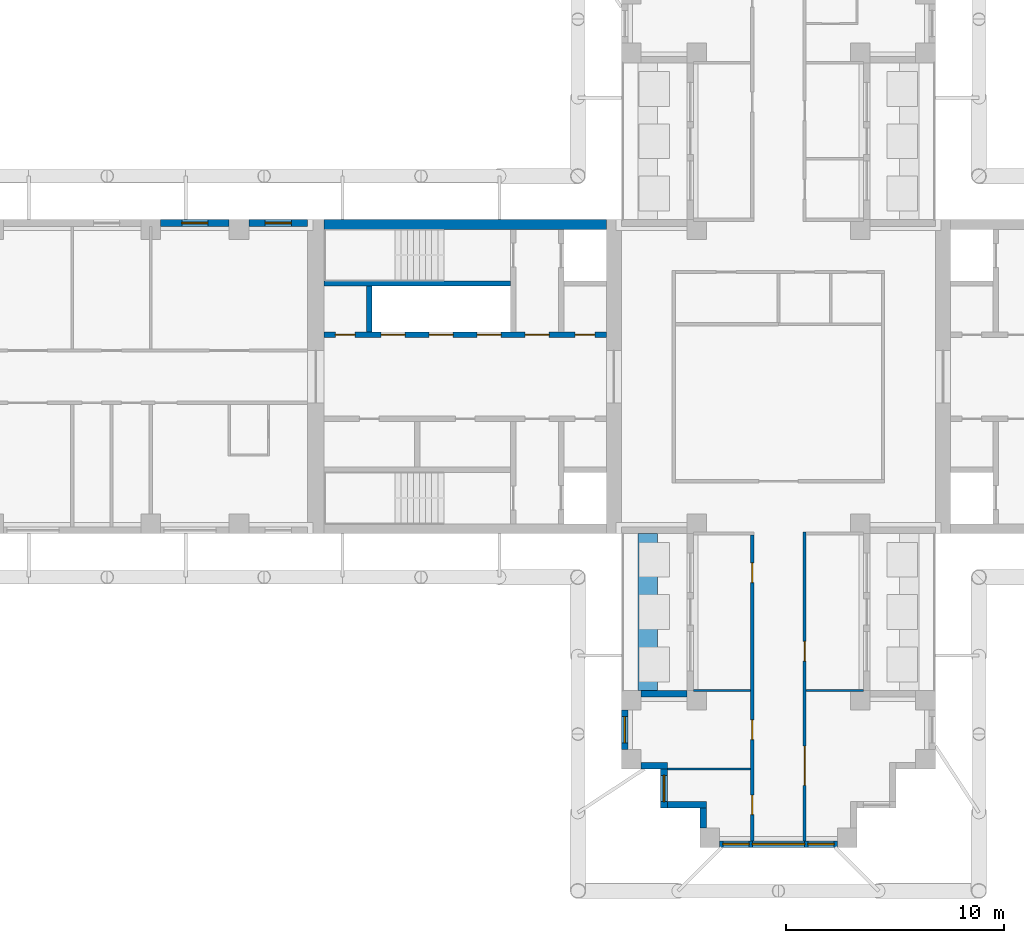
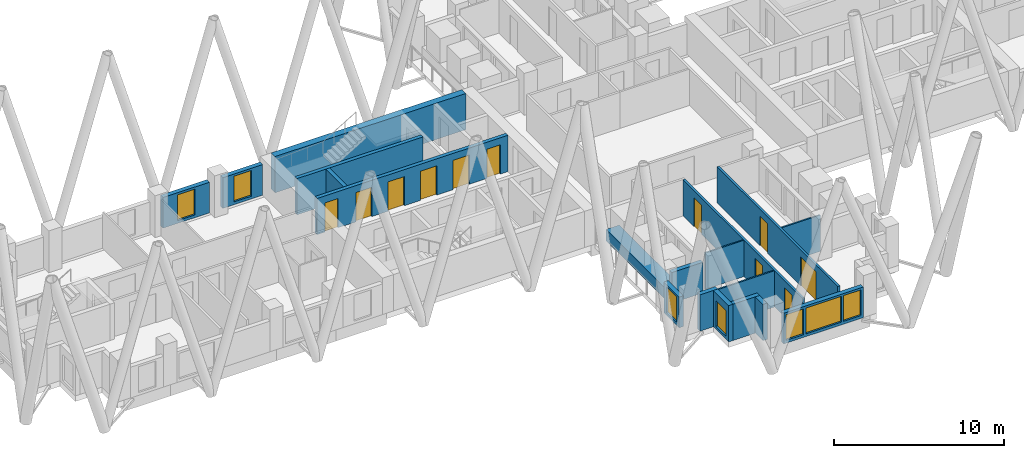
# One storey, part 4 of 12: 19 walls, 11 doors, 7 windows, 18 openings.
"""IFC4 building model written with IfcOpenShell, lengths in metres."""

from ifc_helpers import new_model, si_unit, direction, frame, frame_2d, origin, place, context, subcontext, project, spatial, rectangle, extrude, material, layer, layer_set, type_object, element, fill, save


model = new_model("IFC4")

# Units and contexts
model_context = context("Model", 3, precision=1e-05, world=origin(), true_north=direction((0.0, 1.0)))
body_context = subcontext(model_context, "Body", "Model", "MODEL_VIEW")
ifc_project = project(units=[si_unit("LENGTHUNIT", "METRE"), si_unit("AREAUNIT", "SQUARE_METRE"), si_unit("VOLUMEUNIT", "CUBIC_METRE"), si_unit("PLANEANGLEUNIT", "RADIAN"), si_unit("MASSUNIT", "GRAM", prefix="KILO")], contexts=[model_context])

# Site, building, storey
site_placement = place(None, origin())
site = spatial("IfcSite", under=ifc_project, at=site_placement, CompositionType="ELEMENT")
building_placement = place(site_placement, origin())
building = spatial("IfcBuilding", under=site, at=building_placement, Name="Fustian Cross Tower", CompositionType="ELEMENT")
storey_placement = place(building_placement, frame((0.0, 0.0, 141.300048828125)))
storey = spatial("IfcBuildingStorey", under=building, at=storey_placement, Name="L44", CompositionType="ELEMENT", Elevation=141.300048828125)

# Wall, openings, doors
ifc_material_1 = material(Name="Plasterboard on steel stud", Category="steel")
ifc_layer_1 = layer(ifc_material_1, 0.14990234375)
ifc_layer_set_1 = layer_set([ifc_layer_1], Name="Plasterboard on steel stud")
wall_type_1 = type_object("IfcWallType", Name="COMPARTMENT WALL 150 EI 60", PredefinedType="PARTITIONING", material=ifc_layer_set_1)
wall_1_placement = place(storey_placement, frame((-1.199951171875, -21.300048828125, 0.0), z_axis=(0.0, 0.0, 1.0), x_axis=(0.0, 1.0, 0.0)))
wall_1 = element("IfcWall", 1, at=wall_1_placement, inside=storey, type_object=wall_type_1, Name="Partition 20", PredefinedType="PARTITIONING", context=body_context, shape_type="SweptSolid", body=[
    extrude(rectangle(XDim=14.025146484375, YDim=0.14990234375, at=frame_2d((7.0126953125, 0.0))), origin(), (0.0, 0.0, 1.0), 2.599853515625),
])
opening_1_placement = place(wall_1_placement, frame((11.85009765625, 0.0, 0.0)))
opening_1 = element("IfcOpeningElement", 2, at=opening_1_placement, cuts=wall_1, Name="Opening D20030", PredefinedType="OPENING", context=body_context, shape_type="SweptSolid", body=[
    extrude(rectangle(XDim=0.89990234375, YDim=2.10009765625, at=frame_2d((0.449951171875, 1.050048828125))), frame((0.0, 0.0849609375, 0.0), z_axis=(0.0, -1.0, 0.0), x_axis=(1.0, 0.0, 0.0)), (0.0, 0.0, 1.0), 0.169921875),
])
opening_2_placement = place(wall_1_placement, frame((4.64990234375, 0.0, 0.0)))
opening_2 = element("IfcOpeningElement", 3, at=opening_2_placement, cuts=wall_1, Name="Opening D20031", PredefinedType="OPENING", context=body_context, shape_type="SweptSolid", body=[
    extrude(rectangle(XDim=0.89990234375, YDim=2.10009765625, at=frame_2d((0.449951171875, 1.050048828125))), frame((0.0, 0.0849609375, 0.0), z_axis=(0.0, -1.0, 0.0), x_axis=(1.0, 0.0, 0.0)), (0.0, 0.0, 1.0), 0.169921875),
])
opening_3_placement = place(wall_1_placement, frame((1.199951171875, 0.0, 0.0)))
opening_3 = element("IfcOpeningElement", 4, at=opening_3_placement, cuts=wall_1, Name="Opening D20032", PredefinedType="OPENING", context=body_context, shape_type="SweptSolid", body=[
    extrude(rectangle(XDim=0.89990234375, YDim=2.10009765625, at=frame_2d((0.449951171875, 1.050048828125))), frame((0.0, 0.0849609375, 0.0), z_axis=(0.0, -1.0, 0.0), x_axis=(1.0, 0.0, 0.0)), (0.0, 0.0, 1.0), 0.169921875),
])
ifc_material_2 = material(Name="Timber fire door set", Category="wood")
door_type_1 = type_object("IfcDoorType", Name="FIRE SWING DOOR 900 FD30S", OperationType="SINGLE_SWING_LEFT", PredefinedType="DOOR", material=ifc_material_2)
door_1_placement = place(opening_1_placement, origin())
door_1 = element("IfcDoor", 5, at=door_1_placement, inside=storey, type_object=door_type_1, Name="Door D20030", OperationType="SINGLE_SWING_RIGHT", OverallHeight=2.10009765625, OverallWidth=0.89990234375, PredefinedType="DOOR", context=body_context, shape_type="SweptSolid", body=[
    extrude(rectangle(XDim=0.89990234375, YDim=2.10009765625, at=frame_2d((0.449951171875, 1.050048828125))), frame((0.0, 0.02490234375, 0.0), z_axis=(0.0, -1.0, 0.0), x_axis=(1.0, 0.0, 0.0)), (0.0, 0.0, 1.0), 0.050048828125),
])
fill(opening_1, door_1)
door_2_placement = place(opening_2_placement, origin())
door_2 = element("IfcDoor", 6, at=door_2_placement, inside=storey, type_object=door_type_1, Name="Door D20031", OperationType="SINGLE_SWING_LEFT", OverallHeight=2.10009765625, OverallWidth=0.89990234375, PredefinedType="DOOR", context=body_context, shape_type="SweptSolid", body=[
    extrude(rectangle(XDim=0.89990234375, YDim=2.10009765625, at=frame_2d((0.449951171875, 1.050048828125))), frame((0.0, 0.02490234375, 0.0), z_axis=(0.0, -1.0, 0.0), x_axis=(1.0, 0.0, 0.0)), (0.0, 0.0, 1.0), 0.050048828125),
])
fill(opening_2, door_2)
door_3_placement = place(opening_3_placement, origin())
door_3 = element("IfcDoor", 7, at=door_3_placement, inside=storey, type_object=door_type_1, Name="Door D20032", OperationType="SINGLE_SWING_LEFT", OverallHeight=2.10009765625, OverallWidth=0.89990234375, PredefinedType="DOOR", context=body_context, shape_type="SweptSolid", body=[
    extrude(rectangle(XDim=0.89990234375, YDim=2.10009765625, at=frame_2d((0.449951171875, 1.050048828125))), frame((0.0, 0.02490234375, 0.0), z_axis=(0.0, -1.0, 0.0), x_axis=(1.0, 0.0, 0.0)), (0.0, 0.0, 1.0), 0.050048828125),
])
fill(opening_3, door_3)

wall_2_placement = place(storey_placement, frame((1.199951171875, -21.300048828125, 0.0), z_axis=(0.0, 0.0, 1.0), x_axis=(0.0, 1.0, 0.0)))
wall_2 = element("IfcWall", 8, at=wall_2_placement, inside=storey, type_object=wall_type_1, Name="Partition 24", PredefinedType="PARTITIONING", context=body_context, shape_type="SweptSolid", body=[
    extrude(rectangle(XDim=14.175048828125, YDim=0.14990234375, at=frame_2d((7.08740234375, 0.0))), origin(), (0.0, 0.0, 1.0), 2.599853515625),
])
opening_4_placement = place(wall_2_placement, frame((8.25, 0.0, 0.0)))
opening_4 = element("IfcOpeningElement", 9, at=opening_4_placement, cuts=wall_2, Name="Opening D20028", PredefinedType="OPENING", context=body_context, shape_type="SweptSolid", body=[
    extrude(rectangle(XDim=0.89990234375, YDim=2.10009765625, at=frame_2d((0.449951171875, 1.050048828125))), frame((0.0, 0.0849609375, 0.0), z_axis=(0.0, -1.0, 0.0), x_axis=(1.0, 0.0, 0.0)), (0.0, 0.0, 1.0), 0.169921875),
])
opening_5_placement = place(wall_2_placement, frame((2.550048828125, 0.0, 0.0)))
opening_5 = element("IfcOpeningElement", 10, at=opening_5_placement, cuts=wall_2, Name="Opening D20029", PredefinedType="OPENING", context=body_context, shape_type="SweptSolid", body=[
    extrude(rectangle(XDim=1.800048828125, YDim=2.10009765625, at=frame_2d((0.89990234375, 1.050048828125))), frame((0.0, 0.0849609375, 0.0), z_axis=(0.0, -1.0, 0.0), x_axis=(1.0, 0.0, 0.0)), (0.0, 0.0, 1.0), 0.169921875),
])
ifc_material_3 = material(Name="Timber fire door set", Category="wood")
door_type_2 = type_object("IfcDoorType", Name="FIRE DOUBLE DOOR 1800 FD30S", OperationType="DOUBLE_DOOR_DOUBLE_SWING", PredefinedType="DOOR", material=ifc_material_3)
door_4_placement = place(opening_5_placement, origin())
door_4 = element("IfcDoor", 11, at=door_4_placement, inside=storey, type_object=door_type_2, Name="Door D20029", OperationType="DOUBLE_DOOR_DOUBLE_SWING", OverallHeight=2.10009765625, OverallWidth=1.800048828125, PredefinedType="DOOR", context=body_context, shape_type="SweptSolid", body=[
    extrude(rectangle(XDim=1.800048828125, YDim=2.10009765625, at=frame_2d((0.89990234375, 1.050048828125))), frame((0.0, 0.02490234375, 0.0), z_axis=(0.0, -1.0, 0.0), x_axis=(1.0, 0.0, 0.0)), (0.0, 0.0, 1.0), 0.050048828125),
])
fill(opening_5, door_4)
door_5_placement = place(opening_4_placement, frame((0.89990234375, 0.0, 0.0), z_axis=(0.0, 0.0, 1.0), x_axis=(-1.0, 0.0, 0.0)))
door_5 = element("IfcDoor", 12, at=door_5_placement, inside=storey, type_object=door_type_1, Name="Door D20028", OperationType="SINGLE_SWING_RIGHT", OverallHeight=2.10009765625, OverallWidth=0.89990234375, PredefinedType="DOOR", context=body_context, shape_type="SweptSolid", body=[
    extrude(rectangle(XDim=0.89990234375, YDim=2.10009765625, at=frame_2d((0.449951171875, 1.050048828125))), frame((0.0, 0.02490234375, 0.0), z_axis=(0.0, -1.0, 0.0), x_axis=(1.0, 0.0, 0.0)), (0.0, 0.0, 1.0), 0.050048828125),
])
fill(opening_4, door_5)

# Wall
ifc_material_4 = material(Name="Concrete C60/75", Category="concrete")
ifc_layer_2 = layer(ifc_material_4, 0.449951171875)
ifc_layer_set_2 = layer_set([ifc_layer_2], Name="Concrete C60/75")
wall_type_2 = type_object("IfcWallType", Name="CORE FACADE WALL 450 C60/75", PredefinedType="SHEAR", material=ifc_layer_set_2)
wall_3_placement = place(storey_placement, frame((-7.89990234375, 6.97509765625, 0.0), z_axis=(0.0, 0.0, 1.0), x_axis=(-1.0, 0.0, 0.0)))
element("IfcWall", 13, at=wall_3_placement, inside=storey, type_object=wall_type_2, Name="Core facade wall", PredefinedType="SHEAR", context=body_context, shape_type="SweptSolid", body=[
    extrude(rectangle(XDim=12.9501953125, YDim=0.449951171875, at=frame_2d((6.47509765625, 0.0))), origin(), (0.0, 0.0, 1.0), 2.599853515625),
])

# Wall, openings, doors
ifc_material_5 = material(Name="Concrete C50/60", Category="concrete")
ifc_layer_3 = layer(ifc_material_5, 0.25)
ifc_layer_set_3 = layer_set([ifc_layer_3], Name="Concrete C50/60")
wall_type_3 = type_object("IfcWallType", Name="CORE LOBBY WALL 250 C50/60", PredefinedType="SHEAR", material=ifc_layer_set_3)
wall_4_placement = place(storey_placement, frame((-7.89990234375, 1.925048828125, 0.0), z_axis=(0.0, 0.0, 1.0), x_axis=(-1.0, 0.0, 0.0)))
wall_4 = element("IfcWall", 14, at=wall_4_placement, inside=storey, type_object=wall_type_3, Name="Core lobby wall", PredefinedType="SHEAR", context=body_context, shape_type="SweptSolid", body=[
    extrude(rectangle(XDim=12.9501953125, YDim=0.25, at=frame_2d((6.47509765625, 0.0))), origin(), (0.0, 0.0, 1.0), 2.599853515625),
])
opening_6_placement = place(wall_4_placement, frame((4.824951171875, 0.0, 0.0)))
opening_6 = element("IfcOpeningElement", 15, at=opening_6_placement, cuts=wall_4, Name="Opening LD", PredefinedType="OPENING", context=body_context, shape_type="SweptSolid", body=[
    extrude(rectangle(XDim=1.10009765625, YDim=2.10009765625, at=frame_2d((0.550048828125, 1.050048828125))), frame((0.0, 0.135009765625, 0.0), z_axis=(0.0, -1.0, 0.0), x_axis=(1.0, 0.0, 0.0)), (0.0, 0.0, 1.0), 0.27001953125),
])
opening_7_placement = place(wall_4_placement, frame((7.02490234375, 0.0, 0.0)))
opening_7 = element("IfcOpeningElement", 16, at=opening_7_placement, cuts=wall_4, Name="Opening LD", PredefinedType="OPENING", context=body_context, shape_type="SweptSolid", body=[
    extrude(rectangle(XDim=1.10009765625, YDim=2.10009765625, at=frame_2d((0.550048828125, 1.050048828125))), frame((0.0, 0.135009765625, 0.0), z_axis=(0.0, -1.0, 0.0), x_axis=(1.0, 0.0, 0.0)), (0.0, 0.0, 1.0), 0.27001953125),
])
opening_8_placement = place(wall_4_placement, frame((9.22509765625, 0.0, 0.0)))
opening_8 = element("IfcOpeningElement", 17, at=opening_8_placement, cuts=wall_4, Name="Opening LD", PredefinedType="OPENING", context=body_context, shape_type="SweptSolid", body=[
    extrude(rectangle(XDim=1.10009765625, YDim=2.10009765625, at=frame_2d((0.550048828125, 1.050048828125))), frame((0.0, 0.135009765625, 0.0), z_axis=(0.0, -1.0, 0.0), x_axis=(1.0, 0.0, 0.0)), (0.0, 0.0, 1.0), 0.27001953125),
])
opening_9_placement = place(wall_4_placement, frame((0.52490234375, 0.0, 0.0)))
opening_9 = element("IfcOpeningElement", 18, at=opening_9_placement, cuts=wall_4, Name="Opening CD-18-24", PredefinedType="OPENING", context=body_context, shape_type="SweptSolid", body=[
    extrude(rectangle(XDim=0.89990234375, YDim=2.10009765625, at=frame_2d((0.449951171875, 1.050048828125))), frame((0.0, 0.135009765625, 0.0), z_axis=(0.0, -1.0, 0.0), x_axis=(1.0, 0.0, 0.0)), (0.0, 0.0, 1.0), 0.27001953125),
])
opening_10_placement = place(wall_4_placement, frame((2.625, 0.0, 0.0)))
opening_10 = element("IfcOpeningElement", 19, at=opening_10_placement, cuts=wall_4, Name="Opening CD-18-26", PredefinedType="OPENING", context=body_context, shape_type="SweptSolid", body=[
    extrude(rectangle(XDim=1.10009765625, YDim=2.10009765625, at=frame_2d((0.550048828125, 1.050048828125))), frame((0.0, 0.135009765625, 0.0), z_axis=(0.0, -1.0, 0.0), x_axis=(1.0, 0.0, 0.0)), (0.0, 0.0, 1.0), 0.27001953125),
])
opening_11_placement = place(wall_4_placement, frame((11.52490234375, 0.0, 0.0)))
opening_11 = element("IfcOpeningElement", 20, at=opening_11_placement, cuts=wall_4, Name="Opening CD-18-30", PredefinedType="OPENING", context=body_context, shape_type="SweptSolid", body=[
    extrude(rectangle(XDim=0.89990234375, YDim=2.10009765625, at=frame_2d((0.449951171875, 1.050048828125))), frame((0.0, 0.135009765625, 0.0), z_axis=(0.0, -1.0, 0.0), x_axis=(1.0, 0.0, 0.0)), (0.0, 0.0, 1.0), 0.27001953125),
])
ifc_material_6 = material(Name="Steel", Category="steel")
door_type_3 = type_object("IfcDoorType", Name="FIRE DOOR FD30S 900X2100", OperationType="SINGLE_SWING_LEFT", PredefinedType="DOOR", material=ifc_material_6)
door_6_placement = place(opening_11_placement, frame((0.89990234375, 0.0, 0.0), z_axis=(0.0, 0.0, 1.0), x_axis=(-1.0, 0.0, 0.0)))
door_6 = element("IfcDoor", 21, at=door_6_placement, inside=storey, type_object=door_type_3, Name="Core door CD-18-30", OperationType="SINGLE_SWING_RIGHT", OverallHeight=2.10009765625, OverallWidth=0.89990234375, PredefinedType="DOOR", context=body_context, shape_type="SweptSolid", body=[
    extrude(rectangle(XDim=0.89990234375, YDim=2.10009765625, at=frame_2d((0.449951171875, 1.050048828125))), frame((0.0, 0.02490234375, 0.0), z_axis=(0.0, -1.0, 0.0), x_axis=(1.0, 0.0, 0.0)), (0.0, 0.0, 1.0), 0.050048828125),
])
fill(opening_11, door_6)
ifc_material_7 = material(Name="Steel", Category="steel")
door_type_4 = type_object("IfcDoorType", Name="FIRE DOOR FD60S 1100X2100", OperationType="SINGLE_SWING_LEFT", PredefinedType="DOOR", material=ifc_material_7)
door_7_placement = place(opening_10_placement, frame((1.10009765625, 0.0, 0.0), z_axis=(0.0, 0.0, 1.0), x_axis=(-1.0, 0.0, 0.0)))
door_7 = element("IfcDoor", 22, at=door_7_placement, inside=storey, type_object=door_type_4, Name="Core door CD-18-26", OperationType="SINGLE_SWING_RIGHT", OverallHeight=2.10009765625, OverallWidth=1.10009765625, PredefinedType="DOOR", context=body_context, shape_type="SweptSolid", body=[
    extrude(rectangle(XDim=1.10009765625, YDim=2.10009765625, at=frame_2d((0.550048828125, 1.050048828125))), frame((0.0, 0.02490234375, 0.0), z_axis=(0.0, -1.0, 0.0), x_axis=(1.0, 0.0, 0.0)), (0.0, 0.0, 1.0), 0.050048828125),
])
fill(opening_10, door_7)
ifc_material_8 = material(Name="Steel", Category="steel")
door_type_5 = type_object("IfcDoorType", Name="FIRE DOOR FD60S 900X2100", OperationType="SINGLE_SWING_LEFT", PredefinedType="DOOR", material=ifc_material_8)
door_8_placement = place(opening_9_placement, frame((0.89990234375, 0.0, 0.0), z_axis=(0.0, 0.0, 1.0), x_axis=(-1.0, 0.0, 0.0)))
door_8 = element("IfcDoor", 23, at=door_8_placement, inside=storey, type_object=door_type_5, Name="Core door CD-18-24", OperationType="SINGLE_SWING_RIGHT", OverallHeight=2.10009765625, OverallWidth=0.89990234375, PredefinedType="DOOR", context=body_context, shape_type="SweptSolid", body=[
    extrude(rectangle(XDim=0.89990234375, YDim=2.10009765625, at=frame_2d((0.449951171875, 1.050048828125))), frame((0.0, 0.02490234375, 0.0), z_axis=(0.0, -1.0, 0.0), x_axis=(1.0, 0.0, 0.0)), (0.0, 0.0, 1.0), 0.050048828125),
])
fill(opening_9, door_8)
ifc_material_9 = material(Name="Stainless steel", Category="steel")
door_type_6 = type_object("IfcDoorType", Name="LIFT LANDING DOOR 1100X2100", OperationType="SLIDING_TO_LEFT", PredefinedType="DOOR", material=ifc_material_9)
door_9_placement = place(opening_6_placement, origin())
door_9 = element("IfcDoor", 24, at=door_9_placement, inside=storey, type_object=door_type_6, Name="Landing door HR1W", OperationType="SLIDING_TO_LEFT", OverallHeight=2.10009765625, OverallWidth=1.10009765625, PredefinedType="DOOR", context=body_context, shape_type="SweptSolid", body=[
    extrude(rectangle(XDim=1.10009765625, YDim=2.10009765625, at=frame_2d((0.550048828125, 1.050048828125))), frame((0.0, 0.02490234375, 0.0), z_axis=(0.0, -1.0, 0.0), x_axis=(1.0, 0.0, 0.0)), (0.0, 0.0, 1.0), 0.050048828125),
])
fill(opening_6, door_9)
door_10_placement = place(opening_7_placement, origin())
door_10 = element("IfcDoor", 25, at=door_10_placement, inside=storey, type_object=door_type_6, Name="Landing door HR2W", OperationType="SLIDING_TO_LEFT", OverallHeight=2.10009765625, OverallWidth=1.10009765625, PredefinedType="DOOR", context=body_context, shape_type="SweptSolid", body=[
    extrude(rectangle(XDim=1.10009765625, YDim=2.10009765625, at=frame_2d((0.550048828125, 1.050048828125))), frame((0.0, 0.02490234375, 0.0), z_axis=(0.0, -1.0, 0.0), x_axis=(1.0, 0.0, 0.0)), (0.0, 0.0, 1.0), 0.050048828125),
])
fill(opening_7, door_10)
door_11_placement = place(opening_8_placement, origin())
door_11 = element("IfcDoor", 26, at=door_11_placement, inside=storey, type_object=door_type_6, Name="Landing door HR3W", OperationType="SLIDING_TO_LEFT", OverallHeight=2.10009765625, OverallWidth=1.10009765625, PredefinedType="DOOR", context=body_context, shape_type="SweptSolid", body=[
    extrude(rectangle(XDim=1.10009765625, YDim=2.10009765625, at=frame_2d((0.550048828125, 1.050048828125))), frame((0.0, 0.02490234375, 0.0), z_axis=(0.0, -1.0, 0.0), x_axis=(1.0, 0.0, 0.0)), (0.0, 0.0, 1.0), 0.050048828125),
])
fill(opening_8, door_11)

# Walls
ifc_material_10 = material(Name="Concrete C50/60", Category="concrete")
ifc_layer_4 = layer(ifc_material_10, 0.25)
ifc_layer_set_4 = layer_set([ifc_layer_4], Name="Concrete C50/60")
wall_type_4 = type_object("IfcWallType", Name="CORE SHAFT WALL 250 C50/60", PredefinedType="SHEAR", material=ifc_layer_set_4)
wall_5_placement = place(storey_placement, frame((-12.300048828125, 4.27490234375, 0.0), z_axis=(0.0, 0.0, 1.0), x_axis=(-1.0, 0.0, 0.0)))
element("IfcWall", 27, at=wall_5_placement, inside=storey, type_object=wall_type_4, Name="Core shaft wall", PredefinedType="SHEAR", context=body_context, shape_type="SweptSolid", body=[
    extrude(rectangle(XDim=8.550048828125, YDim=0.25, at=frame_2d((4.27490234375, 0.0))), origin(), (0.0, 0.0, 1.0), 2.599853515625),
])
ifc_material_11 = material(Name="Plasterboard on steel stud", Category="steel")
ifc_layer_5 = layer(ifc_material_11, 0.10009765625)
ifc_layer_set_5 = layer_set([ifc_layer_5], Name="Plasterboard on steel stud")
wall_type_5 = type_object("IfcWallType", Name="PARTITION 100 STUD", PredefinedType="PARTITIONING", material=ifc_layer_set_5)
wall_6_placement = place(storey_placement, frame((-5.10009765625, -18.0, 0.0), z_axis=(0.0, 0.0, 1.0), x_axis=(1.0, 0.0, 0.0)))
element("IfcWall", 28, at=wall_6_placement, inside=storey, type_object=wall_type_5, Name="Partition 11", PredefinedType="PARTITIONING", context=body_context, shape_type="SweptSolid", body=[
    extrude(rectangle(XDim=3.8251953125, YDim=0.10009765625, at=frame_2d((1.91259765625, 0.0))), origin(), (0.0, 0.0, 1.0), 2.599853515625),
])
for number, where, z_axis, x_axis, name in (
    (29, (-3.89990234375, -14.39990234375, 0.0), (0.0, 0.0, 1.0), (1.0, 0.0, 0.0), "Partition 16"),
    (30, (1.27490234375, -14.39990234375, 0.0), (0.0, 0.0, 1.0), (1.0, 0.0, 0.0), "Partition 25"),
):
    element("IfcWall", number, at=place(storey_placement, frame(where, z_axis=z_axis, x_axis=x_axis)), inside=storey, type_object=wall_type_5, Name=name, PredefinedType="PARTITIONING", context=body_context, shape_type="SweptSolid", body=[
        extrude(rectangle(XDim=2.625, YDim=0.10009765625, at=frame_2d((1.3125, 0.0))), origin(), (0.0, 0.0, 1.0), 2.599853515625),
    ])
ifc_material_12 = material(Name="Concrete C40/50", Category="concrete")
ifc_layer_6 = layer(ifc_material_12, 0.89990234375)
ifc_layer_set_6 = layer_set([ifc_layer_6], Name="Concrete C40/50")
wall_type_6 = type_object("IfcWallType", Name="PK1 PLANTER 900", PredefinedType="PARAPET", material=ifc_layer_set_6)
wall_7_placement = place(storey_placement, frame((-6.0, -14.39990234375, 0.0), z_axis=(0.0, 0.0, 1.0), x_axis=(0.0, 1.0, 0.0)))
element("IfcWall", 31, at=wall_7_placement, inside=storey, type_object=wall_type_6, Name="PLANTER", PredefinedType="PARAPET", context=body_context, shape_type="SweptSolid", body=[
    extrude(rectangle(XDim=7.199951171875, YDim=0.89990234375, at=frame_2d((3.60009765625, 0.0))), origin(), (0.0, 0.0, 1.0), 0.800048828125),
])
ifc_material_13 = material(Name="Concrete C40/50", Category="concrete")
ifc_layer_7 = layer(ifc_material_13, 0.25)
ifc_layer_set_7 = layer_set([ifc_layer_7], Name="Concrete C40/50")
wall_type_7 = type_object("IfcWallType", Name="SHAFT PARTITION WALL 250 C40/50", PredefinedType="PARTITIONING", material=ifc_layer_set_7)
wall_8_placement = place(storey_placement, frame((-18.77490234375, 2.050048828125, 0.0), z_axis=(0.0, 0.0, 1.0), x_axis=(0.0, 1.0, 0.0)))
element("IfcWall", 32, at=wall_8_placement, inside=storey, type_object=wall_type_7, Name="Core shaft wall", PredefinedType="PARTITIONING", context=body_context, shape_type="SweptSolid", body=[
    extrude(rectangle(XDim=2.099853515625, YDim=0.25, at=frame_2d((1.0498046875, 0.0))), origin(), (0.0, 0.0, 1.0), 2.599853515625),
])

# Wall, opening, window
ifc_material_14 = material(Name="Dark aluminium cladding on insulated backing wall", Category="aluminium")
ifc_layer_8 = layer(ifc_material_14, 0.300048828125)
ifc_layer_set_8 = layer_set([ifc_layer_8], Name="Dark aluminium cladding on insulated backing wall")
wall_type_8 = type_object("IfcWallType", Name="XW1 EXTERNAL WALL 300", PredefinedType="SOLIDWALL", material=ifc_layer_set_8)
wall_9_placement = place(storey_placement, frame((-21.60009765625, 7.050048828125, 0.0), z_axis=(0.0, 0.0, 1.0), x_axis=(-1.0, 0.0, 0.0)))
wall_9 = element("IfcWall", 33, at=wall_9_placement, inside=storey, type_object=wall_type_8, Name="External wall", PredefinedType="SOLIDWALL", context=body_context, shape_type="SweptSolid", body=[
    extrude(rectangle(XDim=2.699951171875, YDim=0.300048828125, at=frame_2d((1.35009765625, 0.0))), origin(), (0.0, 0.0, 1.0), 2.199951171875),
])
opening_12_placement = place(wall_9_placement, frame((0.75, 0.0, 0.199951171875)))
opening_12 = element("IfcOpeningElement", 34, at=opening_12_placement, cuts=wall_9, Name="Opening WN3", PredefinedType="OPENING", context=body_context, shape_type="SweptSolid", body=[
    extrude(rectangle(XDim=1.199951171875, YDim=1.85009765625, at=frame_2d((0.60009765625, 0.925048828125))), frame((0.0, 0.159912109375, 0.0), z_axis=(0.0, -1.0, 0.0), x_axis=(1.0, 0.0, 0.0)), (0.0, 0.0, 1.0), 0.320068359375),
])
ifc_material_15 = material(Name="Dark anodised aluminium and double glazing", Category="aluminium")
window_type_1 = type_object("IfcWindowType", Name="WN3 WINDOW 1200X1850", PartitioningType="SINGLE_PANEL", PredefinedType="WINDOW", material=ifc_material_15)
window_1_placement = place(opening_12_placement, origin())
window_1 = element("IfcWindow", 35, at=window_1_placement, inside=storey, type_object=window_type_1, Name="Window", OverallHeight=1.85009765625, OverallWidth=1.199951171875, PartitioningType="SINGLE_PANEL", PredefinedType="WINDOW", context=body_context, shape_type="SweptSolid", body=[
    extrude(rectangle(XDim=1.199951171875, YDim=1.85009765625, at=frame_2d((0.60009765625, 0.925048828125))), frame((0.0, 0.030029296875, 0.0), z_axis=(0.0, -1.0, 0.0), x_axis=(1.0, 0.0, 0.0)), (0.0, 0.0, 1.0), 0.06005859375),
])
fill(opening_12, window_1)

wall_10_placement = place(storey_placement, frame((-25.199951171875, 7.050048828125, 0.0), z_axis=(0.0, 0.0, 1.0), x_axis=(-1.0, 0.0, 0.0)))
wall_10 = element("IfcWall", 36, at=wall_10_placement, inside=storey, type_object=wall_type_8, Name="External wall", PredefinedType="SOLIDWALL", context=body_context, shape_type="SweptSolid", body=[
    extrude(rectangle(XDim=3.150146484375, YDim=0.300048828125, at=frame_2d((1.5751953125, 0.0))), origin(), (0.0, 0.0, 1.0), 2.199951171875),
])
opening_13_placement = place(wall_10_placement, frame((0.97509765625, 0.0, 0.199951171875)))
opening_13 = element("IfcOpeningElement", 37, at=opening_13_placement, cuts=wall_10, Name="Opening WN3", PredefinedType="OPENING", context=body_context, shape_type="SweptSolid", body=[
    extrude(rectangle(XDim=1.199951171875, YDim=1.85009765625, at=frame_2d((0.60009765625, 0.925048828125))), frame((0.0, 0.159912109375, 0.0), z_axis=(0.0, -1.0, 0.0), x_axis=(1.0, 0.0, 0.0)), (0.0, 0.0, 1.0), 0.320068359375),
])
window_2_placement = place(opening_13_placement, origin())
window_2 = element("IfcWindow", 38, at=window_2_placement, inside=storey, type_object=window_type_1, Name="Window", OverallHeight=1.85009765625, OverallWidth=1.199951171875, PartitioningType="SINGLE_PANEL", PredefinedType="WINDOW", context=body_context, shape_type="SweptSolid", body=[
    extrude(rectangle(XDim=1.199951171875, YDim=1.85009765625, at=frame_2d((0.60009765625, 0.925048828125))), frame((0.0, 0.030029296875, 0.0), z_axis=(0.0, -1.0, 0.0), x_axis=(1.0, 0.0, 0.0)), (0.0, 0.0, 1.0), 0.06005859375),
])
fill(opening_13, window_2)

# Wall
wall_11_placement = place(storey_placement, frame((-4.199951171875, -14.550048828125, 0.0), z_axis=(0.0, 0.0, 1.0), x_axis=(-1.0, 0.0, 0.0)))
element("IfcWall", 39, at=wall_11_placement, inside=storey, type_object=wall_type_8, Name="External wall", PredefinedType="SOLIDWALL", context=body_context, shape_type="SweptSolid", body=[
    extrude(rectangle(XDim=2.10009765625, YDim=0.300048828125, at=frame_2d((1.050048828125, 0.0))), origin(), (0.0, 0.0, 1.0), 2.199951171875),
])

# Wall, opening, window
wall_12_placement = place(storey_placement, frame((-7.050048828125, -15.300048828125, 0.0), z_axis=(0.0, 0.0, 1.0), x_axis=(0.0, -1.0, 0.0)))
wall_12 = element("IfcWall", 40, at=wall_12_placement, inside=storey, type_object=wall_type_8, Name="External wall", PredefinedType="SOLIDWALL", context=body_context, shape_type="SweptSolid", body=[
    extrude(rectangle(XDim=1.800048828125, YDim=0.300048828125, at=frame_2d((0.89990234375, 0.0))), origin(), (0.0, 0.0, 1.0), 2.199951171875),
])
opening_14_placement = place(wall_12_placement, frame((0.300048828125, 0.0, 0.199951171875)))
opening_14 = element("IfcOpeningElement", 41, at=opening_14_placement, cuts=wall_12, Name="Opening WN3", PredefinedType="OPENING", context=body_context, shape_type="SweptSolid", body=[
    extrude(rectangle(XDim=1.199951171875, YDim=1.85009765625, at=frame_2d((0.60009765625, 0.925048828125))), frame((0.0, 0.159912109375, 0.0), z_axis=(0.0, -1.0, 0.0), x_axis=(1.0, 0.0, 0.0)), (0.0, 0.0, 1.0), 0.320068359375),
])
window_3_placement = place(opening_14_placement, origin())
window_3 = element("IfcWindow", 42, at=window_3_placement, inside=storey, type_object=window_type_1, Name="Window", OverallHeight=1.85009765625, OverallWidth=1.199951171875, PartitioningType="SINGLE_PANEL", PredefinedType="WINDOW", context=body_context, shape_type="SweptSolid", body=[
    extrude(rectangle(XDim=1.199951171875, YDim=1.85009765625, at=frame_2d((0.60009765625, 0.925048828125))), frame((0.0, 0.030029296875, 0.0), z_axis=(0.0, -1.0, 0.0), x_axis=(1.0, 0.0, 0.0)), (0.0, 0.0, 1.0), 0.06005859375),
])
fill(opening_14, window_3)

# Wall
wall_13_placement = place(storey_placement, frame((-6.300048828125, -17.85009765625, 0.0), z_axis=(0.0, 0.0, 1.0), x_axis=(1.0, 0.0, 0.0)))
element("IfcWall", 43, at=wall_13_placement, inside=storey, type_object=wall_type_8, Name="External wall", PredefinedType="SOLIDWALL", context=body_context, shape_type="SweptSolid", body=[
    extrude(rectangle(XDim=1.199951171875, YDim=0.300048828125, at=frame_2d((0.60009765625, 0.0))), origin(), (0.0, 0.0, 1.0), 2.599853515625),
])

# Wall, opening, window
wall_14_placement = place(storey_placement, frame((-5.25, -18.0, 0.0), z_axis=(0.0, 0.0, 1.0), x_axis=(0.0, -1.0, 0.0)))
wall_14 = element("IfcWall", 44, at=wall_14_placement, inside=storey, type_object=wall_type_8, Name="External wall", PredefinedType="SOLIDWALL", context=body_context, shape_type="SweptSolid", body=[
    extrude(rectangle(XDim=1.800048828125, YDim=0.300048828125, at=frame_2d((0.89990234375, 0.0))), origin(), (0.0, 0.0, 1.0), 2.599853515625),
])
opening_15_placement = place(wall_14_placement, frame((0.300048828125, 0.0, 0.199951171875)))
opening_15 = element("IfcOpeningElement", 45, at=opening_15_placement, cuts=wall_14, Name="Opening WN3", PredefinedType="OPENING", context=body_context, shape_type="SweptSolid", body=[
    extrude(rectangle(XDim=1.199951171875, YDim=1.85009765625, at=frame_2d((0.60009765625, 0.925048828125))), frame((0.0, 0.159912109375, 0.0), z_axis=(0.0, -1.0, 0.0), x_axis=(1.0, 0.0, 0.0)), (0.0, 0.0, 1.0), 0.320068359375),
])
window_4_placement = place(opening_15_placement, origin())
window_4 = element("IfcWindow", 46, at=window_4_placement, inside=storey, type_object=window_type_1, Name="Window", OverallHeight=1.85009765625, OverallWidth=1.199951171875, PartitioningType="SINGLE_PANEL", PredefinedType="WINDOW", context=body_context, shape_type="SweptSolid", body=[
    extrude(rectangle(XDim=1.199951171875, YDim=1.85009765625, at=frame_2d((0.60009765625, 0.925048828125))), frame((0.0, 0.030029296875, 0.0), z_axis=(0.0, -1.0, 0.0), x_axis=(1.0, 0.0, 0.0)), (0.0, 0.0, 1.0), 0.06005859375),
])
fill(opening_15, window_4)

# Walls
wall_15_placement = place(storey_placement, frame((-5.10009765625, -19.64990234375, 0.0), z_axis=(0.0, 0.0, 1.0), x_axis=(1.0, 0.0, 0.0)))
element("IfcWall", 47, at=wall_15_placement, inside=storey, type_object=wall_type_8, Name="External wall", PredefinedType="SOLIDWALL", context=body_context, shape_type="SweptSolid", body=[
    extrude(rectangle(XDim=1.800048828125, YDim=0.300048828125, at=frame_2d((0.89990234375, 0.0))), origin(), (0.0, 0.0, 1.0), 2.599853515625),
])
wall_16_placement = place(storey_placement, frame((-3.449951171875, -19.800048828125, 0.0), z_axis=(0.0, 0.0, 1.0), x_axis=(0.0, -1.0, 0.0)))
element("IfcWall", 48, at=wall_16_placement, inside=storey, type_object=wall_type_8, Name="External wall", PredefinedType="SOLIDWALL", context=body_context, shape_type="SweptSolid", body=[
    extrude(rectangle(XDim=0.89990234375, YDim=0.300048828125, at=frame_2d((0.449951171875, 0.0))), origin(), (0.0, 0.0, 1.0), 2.599853515625),
])

# Wall, openings, windows
wall_17_placement = place(storey_placement, frame((-2.699951171875, -21.449951171875, 0.0), z_axis=(0.0, 0.0, 1.0), x_axis=(1.0, 0.0, 0.0)))
wall_17 = element("IfcWall", 49, at=wall_17_placement, inside=storey, type_object=wall_type_8, Name="External wall", PredefinedType="SOLIDWALL", context=body_context, shape_type="SweptSolid", body=[
    extrude(rectangle(XDim=5.39990234375, YDim=0.300048828125, at=frame_2d((2.699951171875, 0.0))), origin(), (0.0, 0.0, 1.0), 2.199951171875),
])
opening_16_placement = place(wall_17_placement, frame((1.5, 0.0, 0.199951171875)))
opening_16 = element("IfcOpeningElement", 50, at=opening_16_placement, cuts=wall_17, Name="Opening WN1", PredefinedType="OPENING", context=body_context, shape_type="SweptSolid", body=[
    extrude(rectangle(XDim=2.39990234375, YDim=1.85009765625, at=frame_2d((1.199951171875, 0.925048828125))), frame((0.0, 0.159912109375, 0.0), z_axis=(0.0, -1.0, 0.0), x_axis=(1.0, 0.0, 0.0)), (0.0, 0.0, 1.0), 0.320068359375),
])
opening_17_placement = place(wall_17_placement, frame((0.14990234375, 0.0, 0.199951171875)))
opening_17 = element("IfcOpeningElement", 51, at=opening_17_placement, cuts=wall_17, Name="Opening WN3", PredefinedType="OPENING", context=body_context, shape_type="SweptSolid", body=[
    extrude(rectangle(XDim=1.199951171875, YDim=1.85009765625, at=frame_2d((0.60009765625, 0.925048828125))), frame((0.0, 0.159912109375, 0.0), z_axis=(0.0, -1.0, 0.0), x_axis=(1.0, 0.0, 0.0)), (0.0, 0.0, 1.0), 0.320068359375),
])
opening_18_placement = place(wall_17_placement, frame((4.050048828125, 0.0, 0.199951171875)))
opening_18 = element("IfcOpeningElement", 52, at=opening_18_placement, cuts=wall_17, Name="Opening WN3", PredefinedType="OPENING", context=body_context, shape_type="SweptSolid", body=[
    extrude(rectangle(XDim=1.199951171875, YDim=1.85009765625, at=frame_2d((0.60009765625, 0.925048828125))), frame((0.0, 0.159912109375, 0.0), z_axis=(0.0, -1.0, 0.0), x_axis=(1.0, 0.0, 0.0)), (0.0, 0.0, 1.0), 0.320068359375),
])
ifc_material_16 = material(Name="Dark anodised aluminium and double glazing", Category="aluminium")
window_type_2 = type_object("IfcWindowType", Name="WN1 WINDOW 2400X1850", PartitioningType="SINGLE_PANEL", PredefinedType="WINDOW", material=ifc_material_16)
window_5_placement = place(opening_16_placement, origin())
window_5 = element("IfcWindow", 53, at=window_5_placement, inside=storey, type_object=window_type_2, Name="Window", OverallHeight=1.85009765625, OverallWidth=2.39990234375, PartitioningType="SINGLE_PANEL", PredefinedType="WINDOW", context=body_context, shape_type="SweptSolid", body=[
    extrude(rectangle(XDim=2.39990234375, YDim=1.85009765625, at=frame_2d((1.199951171875, 0.925048828125))), frame((0.0, 0.030029296875, 0.0), z_axis=(0.0, -1.0, 0.0), x_axis=(1.0, 0.0, 0.0)), (0.0, 0.0, 1.0), 0.06005859375),
])
fill(opening_16, window_5)
window_6_placement = place(opening_17_placement, origin())
window_6 = element("IfcWindow", 54, at=window_6_placement, inside=storey, type_object=window_type_1, Name="Window", OverallHeight=1.85009765625, OverallWidth=1.199951171875, PartitioningType="SINGLE_PANEL", PredefinedType="WINDOW", context=body_context, shape_type="SweptSolid", body=[
    extrude(rectangle(XDim=1.199951171875, YDim=1.85009765625, at=frame_2d((0.60009765625, 0.925048828125))), frame((0.0, 0.030029296875, 0.0), z_axis=(0.0, -1.0, 0.0), x_axis=(1.0, 0.0, 0.0)), (0.0, 0.0, 1.0), 0.06005859375),
])
fill(opening_17, window_6)
window_7_placement = place(opening_18_placement, origin())
window_7 = element("IfcWindow", 55, at=window_7_placement, inside=storey, type_object=window_type_1, Name="Window", OverallHeight=1.85009765625, OverallWidth=1.199951171875, PartitioningType="SINGLE_PANEL", PredefinedType="WINDOW", context=body_context, shape_type="SweptSolid", body=[
    extrude(rectangle(XDim=1.199951171875, YDim=1.85009765625, at=frame_2d((0.60009765625, 0.925048828125))), frame((0.0, 0.030029296875, 0.0), z_axis=(0.0, -1.0, 0.0), x_axis=(1.0, 0.0, 0.0)), (0.0, 0.0, 1.0), 0.06005859375),
])
fill(opening_18, window_7)

save(model, "model.ifc")
